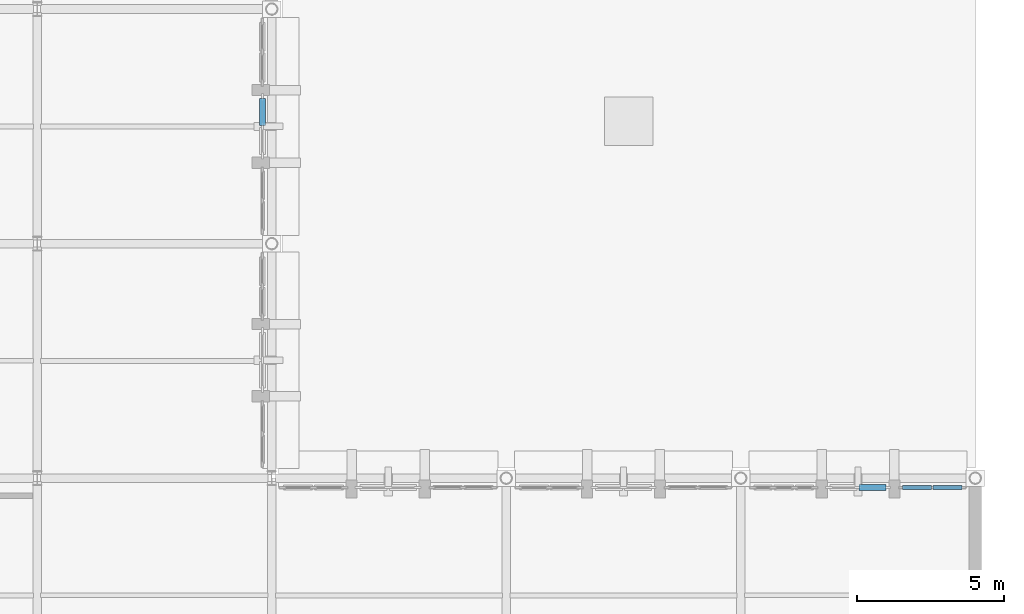
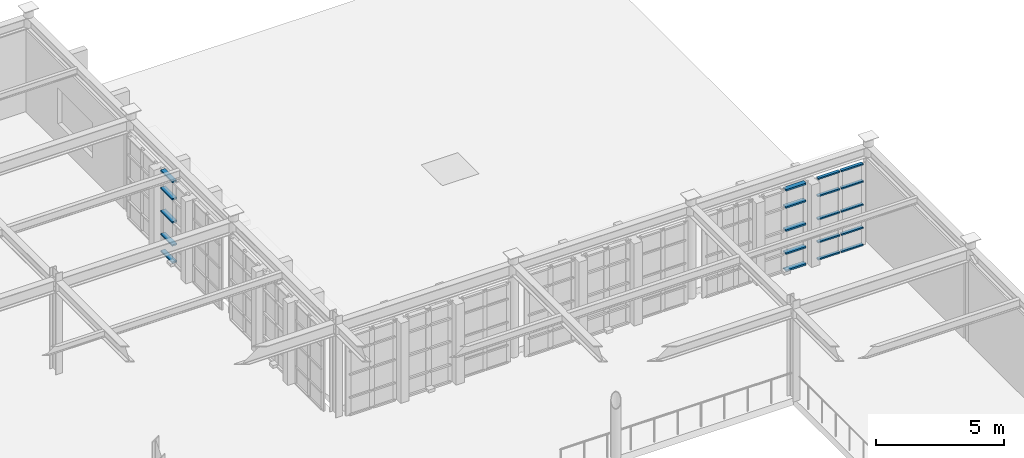
# One storey, part 83 of 155: 20 members, 3 elements without a shape of their own.
"""IFC4 building model written with IfcOpenShell, lengths in metres."""

from ifc_helpers import new_model, si_unit, direction, frame, origin, origin_2d, place, context, subcontext, project, spatial, rectangle, extrude, material, layer, layer_set, material_profile, profile_set, type_object, element, aggregate, save


model = new_model("IFC4")

# Units and contexts
model_context = context("Model", 3, precision=1e-05, world=origin(), true_north=direction((0.0, 1.0)))
body_context = subcontext(model_context, "Body", "Model", "MODEL_VIEW")
ifc_project = project(units=[si_unit("LENGTHUNIT", "METRE"), si_unit("AREAUNIT", "SQUARE_METRE"), si_unit("VOLUMEUNIT", "CUBIC_METRE"), si_unit("PLANEANGLEUNIT", "RADIAN"), si_unit("MASSUNIT", "GRAM", prefix="KILO")], contexts=[model_context])

# Site, building, storey
site_placement = place(None, origin())
site = spatial("IfcSite", under=ifc_project, at=site_placement, CompositionType="ELEMENT")
building_placement = place(site_placement, origin())
building = spatial("IfcBuilding", under=site, at=building_placement, Name="Tazarka Park Arena", CompositionType="ELEMENT")
storey_placement = place(building_placement, frame((0.0, 0.0, 5.39990234375)))
storey = spatial("IfcBuildingStorey", under=building, at=storey_placement, Name="L01", CompositionType="ELEMENT", Elevation=5.39990234375)

# Curtain wall, members
ifc_material_1 = material(Name="Aluminium and low-e glass", Category="aluminium")
ifc_layer_1 = layer(ifc_material_1, 0.179931640625, Name="Aluminium and low-e glass")
ifc_layer_set_1 = layer_set([ifc_layer_1], Name="Aluminium and low-e glass")
curtain_wall_type_1 = type_object("IfcCurtainWallType", Name="CW-12", PredefinedType="NOTDEFINED", material=ifc_layer_set_1)
curtain_wall_1_placement = place(storey_placement, origin())
curtain_wall_1 = element("IfcCurtainWall", 1, at=curtain_wall_1_placement, inside=storey, type_object=curtain_wall_type_1, Name="Curtain Wall CWA-L01-192", PredefinedType="NOTDEFINED")
ifc_material_2 = material(Name="Aluminium 6060-T66", Category="aluminium")
ifc_material_profile_1 = material_profile(ifc_material_2, rectangle(XDim=0.139892578125, YDim=0.06494140625, at=origin_2d()), Name="Aluminium 6060-T66")
ifc_profile_set_1 = profile_set([ifc_material_profile_1], Name="Aluminium 6060-T66")
member_type_1 = type_object("IfcMemberType", Name="CWT-01", PredefinedType="USERDEFINED", material=ifc_profile_set_1)
member_1_placement = place(storey_placement, frame((181.513916015625, 103.679931640625, 0.03271484375), z_axis=(1.0, 0.0, 0.0), x_axis=(0.0, 1.0, 0.0)))
member_1 = element("IfcMember", 2, at=member_1_placement, type_object=member_type_1, Name="CW-12 transom 1.1", ObjectType="TRANSOM", PredefinedType="USERDEFINED", context=body_context, shape_type="SweptSolid", body=[
    extrude(rectangle(XDim=0.139892578125, YDim=0.06494140625, at=origin_2d()), origin(), (0.0, 0.0, 1.0), 0.986328125),
])
member_2_placement = place(storey_placement, frame((181.513916015625, 103.679931640625, 0.85009765625), z_axis=(1.0, 0.0, 0.0), x_axis=(0.0, 1.0, 0.0)))
member_2 = element("IfcMember", 3, at=member_2_placement, type_object=member_type_1, Name="CW-12 transom 1.2", ObjectType="TRANSOM", PredefinedType="USERDEFINED", context=body_context, shape_type="SweptSolid", body=[
    extrude(rectangle(XDim=0.139892578125, YDim=0.06494140625, at=origin_2d()), origin(), (0.0, 0.0, 1.0), 0.986328125),
])
member_3_placement = place(storey_placement, frame((181.513916015625, 103.679931640625, 1.9501953125), z_axis=(1.0, 0.0, 0.0), x_axis=(0.0, 1.0, 0.0)))
member_3 = element("IfcMember", 4, at=member_3_placement, type_object=member_type_1, Name="CW-12 transom 1.3", ObjectType="TRANSOM", PredefinedType="USERDEFINED", context=body_context, shape_type="SweptSolid", body=[
    extrude(rectangle(XDim=0.139892578125, YDim=0.06494140625, at=origin_2d()), origin(), (0.0, 0.0, 1.0), 0.986328125),
])
member_4_placement = place(storey_placement, frame((181.513916015625, 103.679931640625, 3.050048828125), z_axis=(1.0, 0.0, 0.0), x_axis=(0.0, 1.0, 0.0)))
member_4 = element("IfcMember", 5, at=member_4_placement, type_object=member_type_1, Name="CW-12 transom 1.4", ObjectType="TRANSOM", PredefinedType="USERDEFINED", context=body_context, shape_type="SweptSolid", body=[
    extrude(rectangle(XDim=0.139892578125, YDim=0.06494140625, at=origin_2d()), origin(), (0.0, 0.0, 1.0), 0.986328125),
])
member_5_placement = place(storey_placement, frame((181.513916015625, 103.679931640625, 3.877685546875), z_axis=(1.0, 0.0, 0.0), x_axis=(0.0, 1.0, 0.0)))
member_5 = element("IfcMember", 6, at=member_5_placement, type_object=member_type_1, Name="CW-12 transom 1.5", ObjectType="TRANSOM", PredefinedType="USERDEFINED", context=body_context, shape_type="SweptSolid", body=[
    extrude(rectangle(XDim=0.139892578125, YDim=0.06494140625, at=origin_2d()), origin(), (0.0, 0.0, 1.0), 0.986328125),
])
member_6_placement = place(storey_placement, frame((182.5654296875, 103.679931640625, 0.03271484375), z_axis=(1.0, 0.0, 0.0), x_axis=(0.0, 1.0, 0.0)))
member_6 = element("IfcMember", 7, at=member_6_placement, type_object=member_type_1, Name="CW-12 transom 2.1", ObjectType="TRANSOM", PredefinedType="USERDEFINED", context=body_context, shape_type="SweptSolid", body=[
    extrude(rectangle(XDim=0.139892578125, YDim=0.06494140625, at=origin_2d()), origin(), (0.0, 0.0, 1.0), 0.986328125),
])
member_7_placement = place(storey_placement, frame((182.5654296875, 103.679931640625, 0.85009765625), z_axis=(1.0, 0.0, 0.0), x_axis=(0.0, 1.0, 0.0)))
member_7 = element("IfcMember", 8, at=member_7_placement, type_object=member_type_1, Name="CW-12 transom 2.2", ObjectType="TRANSOM", PredefinedType="USERDEFINED", context=body_context, shape_type="SweptSolid", body=[
    extrude(rectangle(XDim=0.139892578125, YDim=0.06494140625, at=origin_2d()), origin(), (0.0, 0.0, 1.0), 0.986328125),
])
member_8_placement = place(storey_placement, frame((182.5654296875, 103.679931640625, 1.9501953125), z_axis=(1.0, 0.0, 0.0), x_axis=(0.0, 1.0, 0.0)))
member_8 = element("IfcMember", 9, at=member_8_placement, type_object=member_type_1, Name="CW-12 transom 2.3", ObjectType="TRANSOM", PredefinedType="USERDEFINED", context=body_context, shape_type="SweptSolid", body=[
    extrude(rectangle(XDim=0.139892578125, YDim=0.06494140625, at=origin_2d()), origin(), (0.0, 0.0, 1.0), 0.986328125),
])
member_9_placement = place(storey_placement, frame((182.5654296875, 103.679931640625, 3.050048828125), z_axis=(1.0, 0.0, 0.0), x_axis=(0.0, 1.0, 0.0)))
member_9 = element("IfcMember", 10, at=member_9_placement, type_object=member_type_1, Name="CW-12 transom 2.4", ObjectType="TRANSOM", PredefinedType="USERDEFINED", context=body_context, shape_type="SweptSolid", body=[
    extrude(rectangle(XDim=0.139892578125, YDim=0.06494140625, at=origin_2d()), origin(), (0.0, 0.0, 1.0), 0.986328125),
])
member_10_placement = place(storey_placement, frame((182.5654296875, 103.679931640625, 3.877685546875), z_axis=(1.0, 0.0, 0.0), x_axis=(0.0, 1.0, 0.0)))
member_10 = element("IfcMember", 11, at=member_10_placement, type_object=member_type_1, Name="CW-12 transom 2.5", ObjectType="TRANSOM", PredefinedType="USERDEFINED", context=body_context, shape_type="SweptSolid", body=[
    extrude(rectangle(XDim=0.139892578125, YDim=0.06494140625, at=origin_2d()), origin(), (0.0, 0.0, 1.0), 0.986328125),
])
aggregate(curtain_wall_1, [member_1, member_2, member_3, member_4, member_5, member_6, member_7, member_8, member_9, member_10])

ifc_material_3 = material(Name="Aluminium and low-e glass", Category="aluminium")
ifc_layer_2 = layer(ifc_material_3, 0.179931640625, Name="Aluminium and low-e glass")
ifc_layer_set_2 = layer_set([ifc_layer_2], Name="Aluminium and low-e glass")
curtain_wall_type_2 = type_object("IfcCurtainWallType", Name="CW-11", PredefinedType="NOTDEFINED", material=ifc_layer_set_2)
curtain_wall_2_placement = place(storey_placement, origin())
curtain_wall_2 = element("IfcCurtainWall", 12, at=curtain_wall_2_placement, inside=storey, type_object=curtain_wall_type_2, Name="Curtain Wall CWA-L01-191", PredefinedType="NOTDEFINED")
ifc_material_4 = material(Name="Aluminium 6060-T66", Category="aluminium")
ifc_material_profile_2 = material_profile(ifc_material_4, rectangle(XDim=0.2099609375, YDim=0.074951171875, at=origin_2d()), Name="Aluminium 6060-T66")
ifc_profile_set_2 = profile_set([ifc_material_profile_2], Name="Aluminium 6060-T66")
member_type_2 = type_object("IfcMemberType", Name="CWT-03", PredefinedType="USERDEFINED", material=ifc_profile_set_2)
member_11_placement = place(storey_placement, frame((180.03759765625, 103.679931640625, 0.03759765625), z_axis=(1.0, 0.0, 0.0), x_axis=(0.0, 1.0, 0.0)))
member_11 = element("IfcMember", 13, at=member_11_placement, type_object=member_type_2, Name="CW-11 transom 2.1", ObjectType="TRANSOM", PredefinedType="USERDEFINED", context=body_context, shape_type="SweptSolid", body=[
    extrude(rectangle(XDim=0.2099609375, YDim=0.074951171875, at=origin_2d()), origin(), (0.0, 0.0, 1.0), 0.916259765625),
])
member_12_placement = place(storey_placement, frame((180.03759765625, 103.679931640625, 0.85009765625), z_axis=(1.0, 0.0, 0.0), x_axis=(0.0, 1.0, 0.0)))
member_12 = element("IfcMember", 14, at=member_12_placement, type_object=member_type_2, Name="CW-11 transom 2.2", ObjectType="TRANSOM", PredefinedType="USERDEFINED", context=body_context, shape_type="SweptSolid", body=[
    extrude(rectangle(XDim=0.2099609375, YDim=0.074951171875, at=origin_2d()), origin(), (0.0, 0.0, 1.0), 0.916259765625),
])
member_13_placement = place(storey_placement, frame((180.03759765625, 103.679931640625, 1.9501953125), z_axis=(1.0, 0.0, 0.0), x_axis=(0.0, 1.0, 0.0)))
member_13 = element("IfcMember", 15, at=member_13_placement, type_object=member_type_2, Name="CW-11 transom 2.3", ObjectType="TRANSOM", PredefinedType="USERDEFINED", context=body_context, shape_type="SweptSolid", body=[
    extrude(rectangle(XDim=0.2099609375, YDim=0.074951171875, at=origin_2d()), origin(), (0.0, 0.0, 1.0), 0.916259765625),
])
member_14_placement = place(storey_placement, frame((180.03759765625, 103.679931640625, 3.050048828125), z_axis=(1.0, 0.0, 0.0), x_axis=(0.0, 1.0, 0.0)))
member_14 = element("IfcMember", 16, at=member_14_placement, type_object=member_type_2, Name="CW-11 transom 2.4", ObjectType="TRANSOM", PredefinedType="USERDEFINED", context=body_context, shape_type="SweptSolid", body=[
    extrude(rectangle(XDim=0.2099609375, YDim=0.074951171875, at=origin_2d()), origin(), (0.0, 0.0, 1.0), 0.916259765625),
])
member_15_placement = place(storey_placement, frame((180.03759765625, 103.679931640625, 3.87255859375), z_axis=(1.0, 0.0, 0.0), x_axis=(0.0, 1.0, 0.0)))
member_15 = element("IfcMember", 17, at=member_15_placement, type_object=member_type_2, Name="CW-11 transom 2.5", ObjectType="TRANSOM", PredefinedType="USERDEFINED", context=body_context, shape_type="SweptSolid", body=[
    extrude(rectangle(XDim=0.2099609375, YDim=0.074951171875, at=origin_2d()), origin(), (0.0, 0.0, 1.0), 0.916259765625),
])
aggregate(curtain_wall_2, [member_11, member_12, member_13, member_14, member_15])

ifc_material_5 = material(Name="Aluminium and low-e glass", Category="aluminium")
ifc_layer_3 = layer(ifc_material_5, 0.179931640625, Name="Aluminium and low-e glass")
ifc_layer_set_3 = layer_set([ifc_layer_3], Name="Aluminium and low-e glass")
curtain_wall_type_3 = type_object("IfcCurtainWallType", Name="CW-23", PredefinedType="NOTDEFINED", material=ifc_layer_set_3)
curtain_wall_3_placement = place(storey_placement, origin())
curtain_wall_3 = element("IfcCurtainWall", 18, at=curtain_wall_3_placement, inside=storey, type_object=curtain_wall_type_3, Name="Curtain Wall CWA-L01-203", PredefinedType="NOTDEFINED")
member_16_placement = place(storey_placement, frame((159.679931640625, 116.953857421875, 0.03759765625), z_axis=(0.0, -1.0, 0.0), x_axis=(1.0, 0.0, 0.0)))
member_16 = element("IfcMember", 19, at=member_16_placement, type_object=member_type_2, Name="CW-23 transom 1.1", ObjectType="TRANSOM", PredefinedType="USERDEFINED", context=body_context, shape_type="SweptSolid", body=[
    extrude(rectangle(XDim=0.2099609375, YDim=0.074951171875, at=origin_2d()), origin(), (0.0, 0.0, 1.0), 0.916259765625),
])
member_17_placement = place(storey_placement, frame((159.679931640625, 116.953857421875, 0.85009765625), z_axis=(0.0, -1.0, 0.0), x_axis=(1.0, 0.0, 0.0)))
member_17 = element("IfcMember", 20, at=member_17_placement, type_object=member_type_2, Name="CW-23 transom 1.2", ObjectType="TRANSOM", PredefinedType="USERDEFINED", context=body_context, shape_type="SweptSolid", body=[
    extrude(rectangle(XDim=0.2099609375, YDim=0.074951171875, at=origin_2d()), origin(), (0.0, 0.0, 1.0), 0.916259765625),
])
member_18_placement = place(storey_placement, frame((159.679931640625, 116.953857421875, 1.9501953125), z_axis=(0.0, -1.0, 0.0), x_axis=(1.0, 0.0, 0.0)))
member_18 = element("IfcMember", 21, at=member_18_placement, type_object=member_type_2, Name="CW-23 transom 1.3", ObjectType="TRANSOM", PredefinedType="USERDEFINED", context=body_context, shape_type="SweptSolid", body=[
    extrude(rectangle(XDim=0.2099609375, YDim=0.074951171875, at=origin_2d()), origin(), (0.0, 0.0, 1.0), 0.916259765625),
])
member_19_placement = place(storey_placement, frame((159.679931640625, 116.953857421875, 3.050048828125), z_axis=(0.0, -1.0, 0.0), x_axis=(1.0, 0.0, 0.0)))
member_19 = element("IfcMember", 22, at=member_19_placement, type_object=member_type_2, Name="CW-23 transom 1.4", ObjectType="TRANSOM", PredefinedType="USERDEFINED", context=body_context, shape_type="SweptSolid", body=[
    extrude(rectangle(XDim=0.2099609375, YDim=0.074951171875, at=origin_2d()), origin(), (0.0, 0.0, 1.0), 0.916259765625),
])
member_20_placement = place(storey_placement, frame((159.679931640625, 116.953857421875, 3.87255859375), z_axis=(0.0, -1.0, 0.0), x_axis=(1.0, 0.0, 0.0)))
member_20 = element("IfcMember", 23, at=member_20_placement, type_object=member_type_2, Name="CW-23 transom 1.5", ObjectType="TRANSOM", PredefinedType="USERDEFINED", context=body_context, shape_type="SweptSolid", body=[
    extrude(rectangle(XDim=0.2099609375, YDim=0.074951171875, at=origin_2d()), origin(), (0.0, 0.0, 1.0), 0.916259765625),
])
aggregate(curtain_wall_3, [member_16, member_17, member_18, member_19, member_20])

save(model, "model.ifc")
